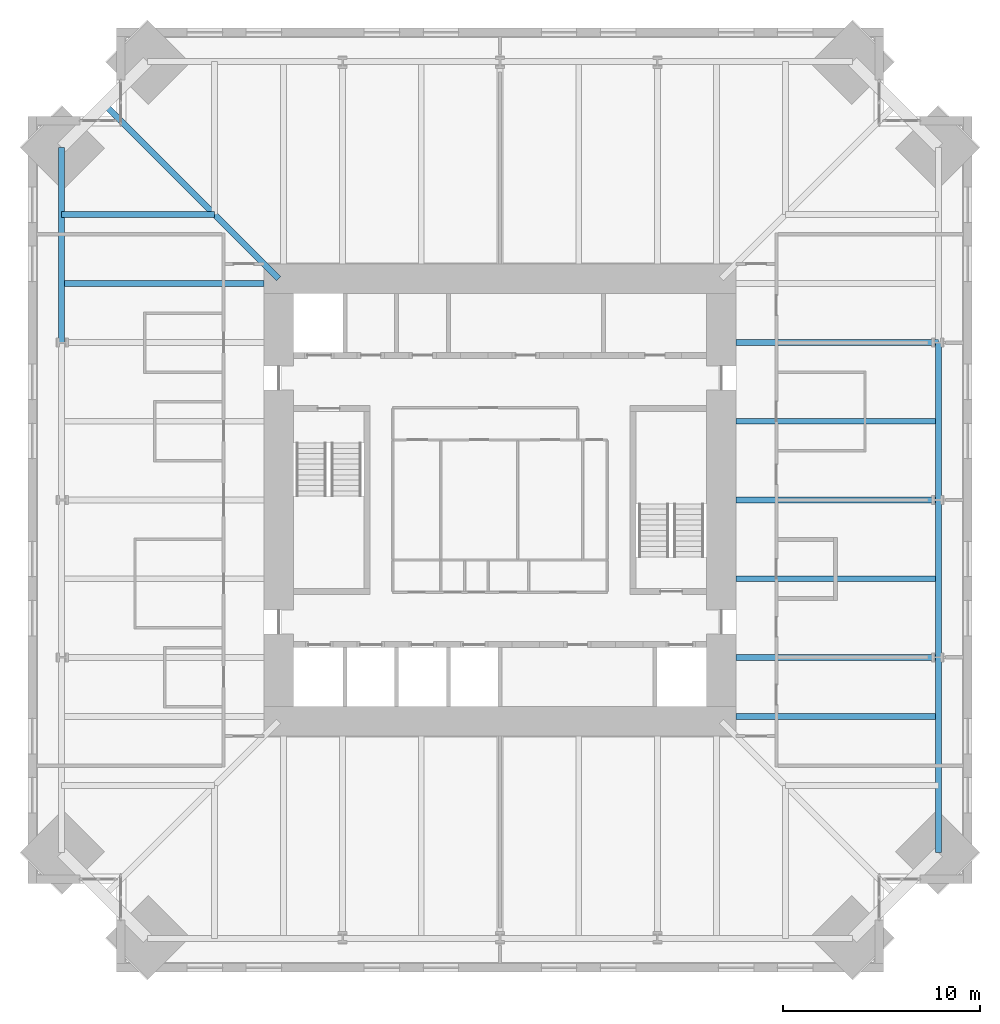
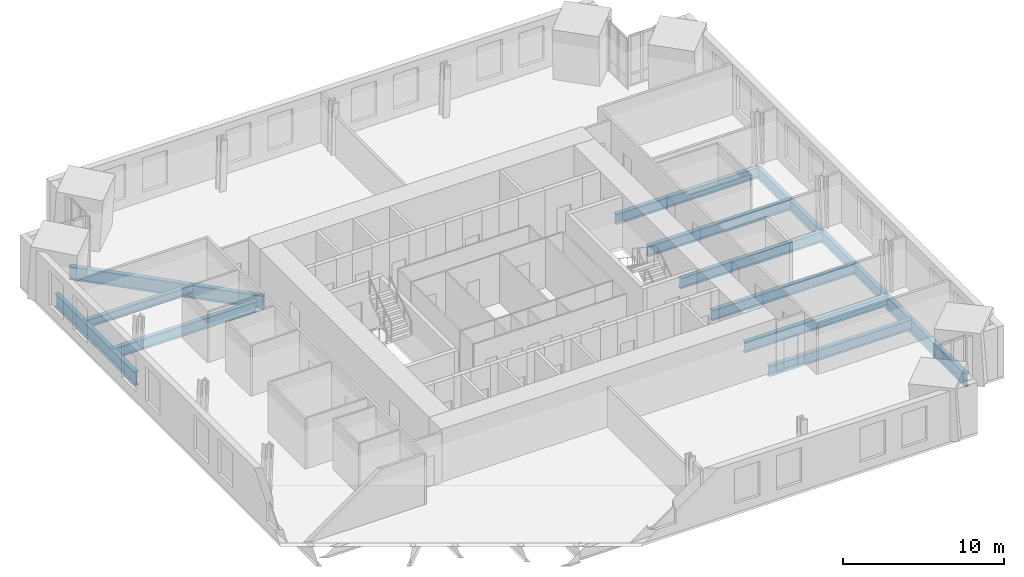
# One storey, part 5 of 15: 13 beams.
"""IFC4 building model written with IfcOpenShell, lengths in metres."""

from ifc_helpers import new_model, si_unit, direction, frame, origin, origin_2d, place, context, subcontext, project, spatial, i_section, extrude, material, material_profile, profile_set, type_object, element, save


model = new_model("IFC4")

# Units and contexts
model_context = context("Model", 3, precision=1e-05, world=origin(), true_north=direction((0.0, 1.0)))
body_context = subcontext(model_context, "Body", "Model", "MODEL_VIEW")
ifc_project = project(units=[si_unit("LENGTHUNIT", "METRE"), si_unit("AREAUNIT", "SQUARE_METRE"), si_unit("VOLUMEUNIT", "CUBIC_METRE"), si_unit("PLANEANGLEUNIT", "RADIAN"), si_unit("MASSUNIT", "GRAM", prefix="KILO")], contexts=[model_context])

# Site, building, storey
site_placement = place(None, origin())
site = spatial("IfcSite", under=ifc_project, at=site_placement, CompositionType="ELEMENT")
building_placement = place(site_placement, origin())
building = spatial("IfcBuilding", under=site, at=building_placement, Name="Peilmerk Tower", CompositionType="ELEMENT")
storey_placement = place(building_placement, frame((0.0, 0.0, 213.800048828125)))
storey = spatial("IfcBuildingStorey", under=building, at=storey_placement, Name="L46", CompositionType="ELEMENT", Elevation=213.800048828125)

# Beams
ifc_material = material(Name="Steel S355", Category="steel")
ifc_material_profile_1 = material_profile(ifc_material, i_section(OverallWidth=0.302001953125, OverallDepth=1.008056640625, WebThickness=0.02099609375, FlangeThickness=0.0400390625, at=origin_2d()), Name="HEM 1000")
ifc_profile_set_1 = profile_set([ifc_material_profile_1], Name="Steel S355")
beam_type_1 = type_object("IfcBeamType", Name="B1 HEM 1000 edge beam", PredefinedType="SPANDREL", material=ifc_profile_set_1)
for number, where, z_axis, x_axis, name in (
    (1, (22.27587890625, -17.92578125, -0.674072265625), (0.0, 1.0, 0.0), (-1.0, 0.0, 0.0), "Edge beam L46"),
    (2, (-22.27587890625, 17.92578125, -0.674072265625), (0.0, -1.0, 0.0), (1.0, 0.0, 0.0), "Edge beam L46"),
):
    element("IfcBeam", number, at=place(storey_placement, frame(where, z_axis=z_axis, x_axis=x_axis)), inside=storey, type_object=beam_type_1, Name=name, PredefinedType="SPANDREL", context=body_context, shape_type="SweptSolid", body=[
        extrude(i_section(OverallWidth=0.302001953125, OverallDepth=1.008056640625, WebThickness=0.02099609375, FlangeThickness=0.0400390625, at=origin_2d()), origin(), (0.0, 0.0, 1.0), 9.92578125),
    ])
ifc_material_profile_2 = material_profile(ifc_material, i_section(OverallWidth=0.302978515625, OverallDepth=0.81396484375, WebThickness=0.02099609375, FlangeThickness=0.0400390625, at=origin_2d()), Name="HEM 800")
ifc_profile_set_2 = profile_set([ifc_material_profile_2], Name="Steel S355")
beam_type_2 = type_object("IfcBeamType", Name="B15 HEM 800 edge beam", PredefinedType="SPANDREL", material=ifc_profile_set_2)
for number, where, z_axis, x_axis, name in (
    (3, (22.27587890625, -8.0, -0.5771484375), (0.0, 1.0, 0.0), (-1.0, 0.0, 0.0), "Edge beam L46"),
    (4, (22.27587890625, 0.0, -0.5771484375), (0.0, 1.0, 0.0), (-1.0, 0.0, 0.0), "Edge beam L46"),
):
    element("IfcBeam", number, at=place(storey_placement, frame(where, z_axis=z_axis, x_axis=x_axis)), inside=storey, type_object=beam_type_2, Name=name, PredefinedType="SPANDREL", context=body_context, shape_type="SweptSolid", body=[
        extrude(i_section(OverallWidth=0.302978515625, OverallDepth=0.81396484375, WebThickness=0.02099609375, FlangeThickness=0.0400390625, at=origin_2d()), origin(), (0.0, 0.0, 1.0), 8.0),
    ])
ifc_material_profile_3 = material_profile(ifc_material, i_section(OverallWidth=0.302001953125, OverallDepth=1.008056640625, WebThickness=0.02099609375, FlangeThickness=0.0400390625, at=origin_2d()), Name="HEM 1000")
ifc_profile_set_3 = profile_set([ifc_material_profile_3], Name="Steel S355")
beam_type_3 = type_object("IfcBeamType", Name="B24 HEM 1000 floor girder", PredefinedType="BEAM", material=ifc_profile_set_3)
beam_1_placement = place(storey_placement, frame((-11.25, 11.25, -0.674072265625), z_axis=(-0.707106781187, 0.707106781187, 0.0), x_axis=(-0.707106781187, -0.707106781187, 0.0)))
element("IfcBeam", 5, at=beam_1_placement, inside=storey, type_object=beam_type_3, Name="Corner girder L46", PredefinedType="BEAM", context=body_context, shape_type="SweptSolid", body=[
    extrude(i_section(OverallWidth=0.302001953125, OverallDepth=1.008056640625, WebThickness=0.02099609375, FlangeThickness=0.0400390625, at=origin_2d()), origin(), (0.0, 0.0, 1.0), 12.516845703125),
])
ifc_material_profile_4 = material_profile(ifc_material, i_section(OverallWidth=0.300048828125, OverallDepth=0.590087890625, WebThickness=0.012939453125, FlangeThickness=0.02490234375, at=origin_2d()), Name="HEA 600")
ifc_profile_set_4 = profile_set([ifc_material_profile_4], Name="Steel S355")
beam_type_4 = type_object("IfcBeamType", Name="B27 HEA 600 floor beam", PredefinedType="BEAM", material=ifc_profile_set_4)
beam_2_placement = place(storey_placement, frame((-14.5, 14.5, -0.465087890625), z_axis=(-1.0, 0.0, 0.0), x_axis=(0.0, -1.0, 0.0)))
element("IfcBeam", 6, at=beam_2_placement, inside=storey, type_object=beam_type_4, Name="Floor beam L46", PredefinedType="BEAM", context=body_context, shape_type="SweptSolid", body=[
    extrude(i_section(OverallWidth=0.300048828125, OverallDepth=0.590087890625, WebThickness=0.012939453125, FlangeThickness=0.02490234375, at=origin_2d()), origin(), (0.0, 0.0, 1.0), 7.77587890625),
])
ifc_material_profile_5 = material_profile(ifc_material, i_section(OverallWidth=0.300048828125, OverallDepth=0.7900390625, WebThickness=0.014892578125, FlangeThickness=0.028076171875, at=origin_2d()), Name="HEA 800")
ifc_profile_set_5 = profile_set([ifc_material_profile_5], Name="Steel S355")
beam_type_5 = type_object("IfcBeamType", Name="B3 HEA 800 floor beam", PredefinedType="BEAM", material=ifc_profile_set_5)
for number, where, z_axis, x_axis, name in (
    (7, (12.0, -11.0, -0.56494140625), (1.0, 0.0, 0.0), (0.0, 1.0, 0.0), "Floor beam L46"),
    (8, (12.0, -8.0, -0.56494140625), (1.0, 0.0, 0.0), (0.0, 1.0, 0.0), "Floor beam L46"),
    (9, (12.0, -4.0, -0.56494140625), (1.0, 0.0, 0.0), (0.0, 1.0, 0.0), "Floor beam L46"),
    (10, (12.0, 0.0, -0.56494140625), (1.0, 0.0, 0.0), (0.0, 1.0, 0.0), "Floor beam L46"),
    (11, (12.0, 4.0, -0.56494140625), (1.0, 0.0, 0.0), (0.0, 1.0, 0.0), "Floor beam L46"),
    (12, (12.0, 8.0, -0.56494140625), (1.0, 0.0, 0.0), (0.0, 1.0, 0.0), "Floor beam L46"),
    (13, (-12.0, 11.0, -0.56494140625), (-1.0, 0.0, 0.0), (0.0, -1.0, 0.0), "Floor beam L46"),
):
    element("IfcBeam", number, at=place(storey_placement, frame(where, z_axis=z_axis, x_axis=x_axis)), inside=storey, type_object=beam_type_5, Name=name, PredefinedType="BEAM", context=body_context, shape_type="SweptSolid", body=[
        extrude(i_section(OverallWidth=0.300048828125, OverallDepth=0.7900390625, WebThickness=0.014892578125, FlangeThickness=0.028076171875, at=origin_2d()), origin(), (0.0, 0.0, 1.0), 10.27587890625),
    ])

save(model, "model.ifc")
